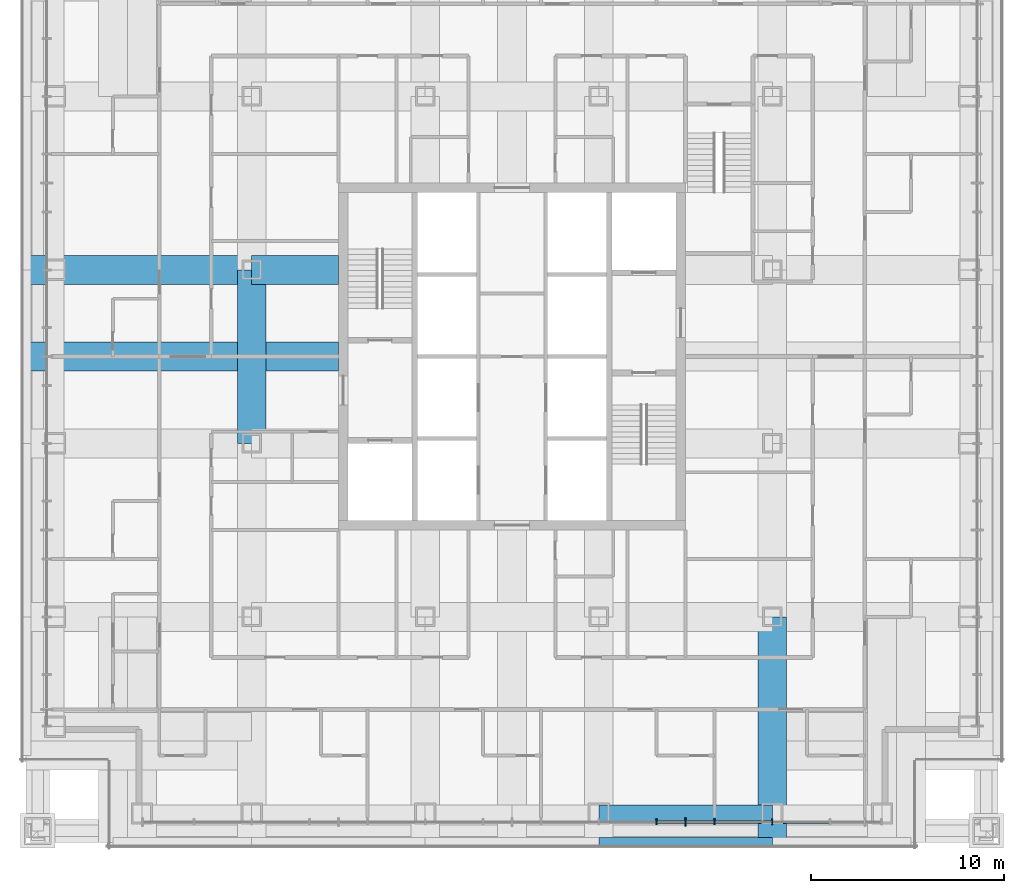
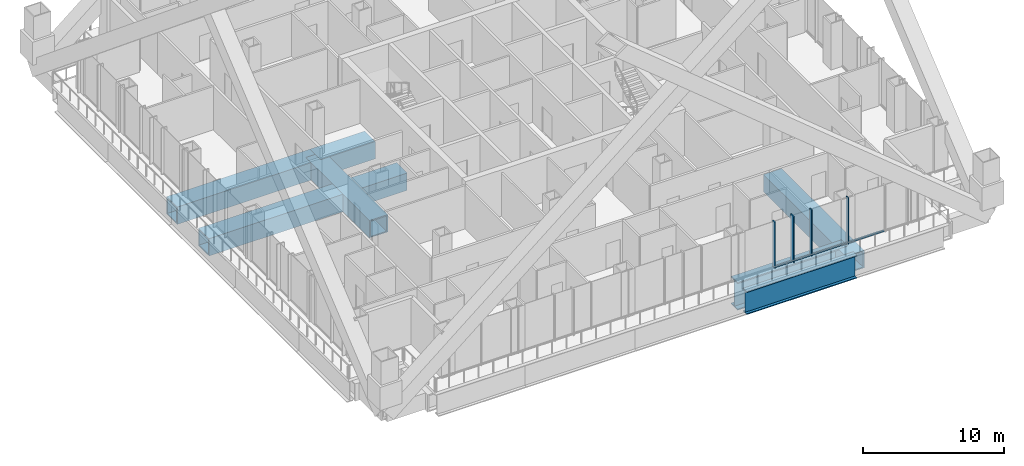
# One storey, part 6 of 20: 8 members, 7 beams, 1 element without a shape of its own.
"""IFC4 building model written with IfcOpenShell, lengths in metres."""

from ifc_helpers import new_model, si_unit, direction, frame, origin, origin_2d, place, context, subcontext, project, spatial, rectangle, hollow_rectangle, i_section, extrude, material, layer, layer_set, material_profile, profile_set, type_object, element, aggregate, save


model = new_model("IFC4")

# Units and contexts
model_context = context("Model", 3, precision=1e-05, world=origin(), true_north=direction((0.0, 1.0)))
body_context = subcontext(model_context, "Body", "Model", "MODEL_VIEW")
ifc_project = project(units=[si_unit("LENGTHUNIT", "METRE"), si_unit("AREAUNIT", "SQUARE_METRE"), si_unit("VOLUMEUNIT", "CUBIC_METRE"), si_unit("PLANEANGLEUNIT", "RADIAN"), si_unit("MASSUNIT", "GRAM", prefix="KILO")], contexts=[model_context])

# Site, building, storey
site_placement = place(None, origin())
site = spatial("IfcSite", under=ifc_project, at=site_placement, CompositionType="ELEMENT")
building_placement = place(site_placement, origin())
building = spatial("IfcBuilding", under=site, at=building_placement, Name="Malebo Sky Hospital", CompositionType="ELEMENT")
storey_placement = place(building_placement, frame((0.0, 0.0, 100.0)))
storey = spatial("IfcBuildingStorey", under=building, at=storey_placement, Name="L23", CompositionType="ELEMENT", Elevation=100.0)

# Curtain wall, members
ifc_material_1 = material(Name="Anodised aluminium, natural silver", Category="aluminium")
ifc_layer = layer(ifc_material_1, 0.25)
ifc_layer_set = layer_set([ifc_layer], Name="WARD CURTAIN WALL NORTH AND SOUTH")
curtain_wall_type = type_object("IfcCurtainWallType", Name="WARD CURTAIN WALL NORTH AND SOUTH", PredefinedType="NOTDEFINED", material=ifc_layer_set)
curtain_wall_placement = place(storey_placement, origin())
curtain_wall = element("IfcCurtainWall", 1, at=curtain_wall_placement, inside=storey, type_object=curtain_wall_type, Name="NS curtain wall S", PredefinedType="NOTDEFINED")
ifc_material_profile_1 = material_profile(ifc_material_1, rectangle(XDim=0.14990234375, YDim=0.10009765625, at=origin_2d()), Name="ALUMINIUM TRANSOM 150x100")
ifc_profile_set_1 = profile_set([ifc_material_profile_1], Name="Anodised aluminium, natural silver")
member_type_1 = type_object("IfcMemberType", Name="ALUMINIUM TRANSOM 150x100", PredefinedType="USERDEFINED", material=ifc_profile_set_1)
member_1_placement = place(storey_placement, frame((76.46240234375, 37.864990234375, 0.050048828125), z_axis=(-1.0, 0.0, 0.0), x_axis=(0.0, -1.0, 0.0)))
member_1 = element("IfcMember", 2, at=member_1_placement, type_object=member_type_1, Name="Transom 3", ObjectType="TRANSOM", PredefinedType="USERDEFINED", context=body_context, shape_type="SweptSolid", body=[
    extrude(rectangle(XDim=0.14990234375, YDim=0.10009765625, at=origin_2d()), origin(), (0.0, 0.0, 1.0), 2.9248046875),
])
member_2_placement = place(storey_placement, frame((73.46240234375, 37.864990234375, 0.050048828125), z_axis=(-1.0, 0.0, 0.0), x_axis=(0.0, -1.0, 0.0)))
member_2 = element("IfcMember", 3, at=member_2_placement, type_object=member_type_1, Name="Transom 4", ObjectType="TRANSOM", PredefinedType="USERDEFINED", context=body_context, shape_type="SweptSolid", body=[
    extrude(rectangle(XDim=0.14990234375, YDim=0.10009765625, at=origin_2d()), origin(), (0.0, 0.0, 1.0), 2.9248046875),
])
member_3_placement = place(storey_placement, frame((70.46240234375, 37.864990234375, 0.050048828125), z_axis=(-1.0, 0.0, 0.0), x_axis=(0.0, -1.0, 0.0)))
member_3 = element("IfcMember", 4, at=member_3_placement, type_object=member_type_1, Name="Transom 5", ObjectType="TRANSOM", PredefinedType="USERDEFINED", context=body_context, shape_type="SweptSolid", body=[
    extrude(rectangle(XDim=0.14990234375, YDim=0.10009765625, at=origin_2d()), origin(), (0.0, 0.0, 1.0), 1.4248046875),
])
member_4_placement = place(storey_placement, frame((68.96240234375, 37.864990234375, 0.050048828125), z_axis=(-1.0, 0.0, 0.0), x_axis=(0.0, -1.0, 0.0)))
member_4 = element("IfcMember", 5, at=member_4_placement, type_object=member_type_1, Name="Transom 6", ObjectType="TRANSOM", PredefinedType="USERDEFINED", context=body_context, shape_type="SweptSolid", body=[
    extrude(rectangle(XDim=0.14990234375, YDim=0.10009765625, at=origin_2d()), origin(), (0.0, 0.0, 1.0), 1.4248046875),
])
ifc_material_profile_2 = material_profile(ifc_material_1, rectangle(XDim=0.074951171875, YDim=0.300048828125, at=origin_2d()), Name="CW1 ALUMINIUM FIN MULLION 75x300")
ifc_profile_set_2 = profile_set([ifc_material_profile_2], Name="Anodised aluminium, natural silver")
member_type_2 = type_object("IfcMemberType", Name="CW1 ALUMINIUM FIN MULLION 75x300", PredefinedType="MULLION", material=ifc_profile_set_2)
member_5_placement = place(storey_placement, frame((73.5, 37.864990234375, 0.0), z_axis=(0.0, 0.0, 1.0), x_axis=(-1.0, 0.0, 0.0)))
member_5 = element("IfcMember", 6, at=member_5_placement, type_object=member_type_2, Name="Fin mullion 4", PredefinedType="MULLION", context=body_context, shape_type="SweptSolid", body=[
    extrude(rectangle(XDim=0.074951171875, YDim=0.300048828125, at=origin_2d()), origin(), (0.0, 0.0, 1.0), 4.0),
])
member_6_placement = place(storey_placement, frame((70.5, 37.864990234375, 0.0), z_axis=(0.0, 0.0, 1.0), x_axis=(-1.0, 0.0, 0.0)))
member_6 = element("IfcMember", 7, at=member_6_placement, type_object=member_type_2, Name="Fin mullion 5", PredefinedType="MULLION", context=body_context, shape_type="SweptSolid", body=[
    extrude(rectangle(XDim=0.074951171875, YDim=0.300048828125, at=origin_2d()), origin(), (0.0, 0.0, 1.0), 4.0),
])
member_7_placement = place(storey_placement, frame((67.5, 37.864990234375, 0.0), z_axis=(0.0, 0.0, 1.0), x_axis=(-1.0, 0.0, 0.0)))
member_7 = element("IfcMember", 8, at=member_7_placement, type_object=member_type_2, Name="Fin mullion 7", PredefinedType="MULLION", context=body_context, shape_type="SweptSolid", body=[
    extrude(rectangle(XDim=0.074951171875, YDim=0.300048828125, at=origin_2d()), origin(), (0.0, 0.0, 1.0), 4.0),
])
ifc_material_profile_3 = material_profile(ifc_material_1, rectangle(XDim=0.074951171875, YDim=0.449951171875, at=origin_2d()), Name="CW1 ALUMINIUM FIN MULLION 75x450")
ifc_profile_set_3 = profile_set([ifc_material_profile_3], Name="Anodised aluminium, natural silver")
member_type_3 = type_object("IfcMemberType", Name="CW1 ALUMINIUM FIN MULLION 75x450", PredefinedType="MULLION", material=ifc_profile_set_3)
member_8_placement = place(storey_placement, frame((69.0, 37.864990234375, 0.0), z_axis=(0.0, 0.0, 1.0), x_axis=(-1.0, 0.0, 0.0)))
member_8 = element("IfcMember", 9, at=member_8_placement, type_object=member_type_3, Name="Fin mullion 6", PredefinedType="MULLION", context=body_context, shape_type="SweptSolid", body=[
    extrude(rectangle(XDim=0.074951171875, YDim=0.449951171875, at=origin_2d()), origin(), (0.0, 0.0, 1.0), 4.0),
])
aggregate(curtain_wall, [member_5, member_6, member_8, member_7, member_1, member_2, member_3, member_4])

# Beams
ifc_material_2 = material(Name="Steel S460", Category="steel")
ifc_material_profile_4 = material_profile(ifc_material_2, hollow_rectangle(XDim=1.5, YDim=1.5, WallThickness=0.10009765625, at=origin_2d()), Name="BOX 1500x1500x100")
ifc_profile_set_4 = profile_set([ifc_material_profile_4], Name="Steel S460")
beam_type_1 = type_object("IfcBeamType", Name="TRANSFER GIRDER BOX 1500x1500x100", PredefinedType="BEAM", material=ifc_profile_set_4)
beam_1_placement = place(storey_placement, frame((46.5, 57.5, -1.0), z_axis=(0.0, 1.0, 0.0), x_axis=(-1.0, 0.0, 0.0)))
element("IfcBeam", 10, at=beam_1_placement, inside=storey, type_object=beam_type_1, Name="Beam 012 L23", PredefinedType="BEAM", context=body_context, shape_type="SweptSolid", body=[
    extrude(hollow_rectangle(XDim=1.5, YDim=1.5, WallThickness=0.10009765625, at=origin_2d()), origin(), (0.0, 0.0, 1.0), 9.0),
])
for number, where, z_axis, x_axis, name in (
    (11, (73.5, 36.800048828125, -1.0), (0.0, 1.0, 0.0), (-1.0, 0.0, 0.0), "Beam 025 L23"),
    (12, (34.800048828125, 66.5, -1.0), (1.0, 0.0, 0.0), (0.0, 1.0, 0.0), "Beam 061 L23"),
):
    element("IfcBeam", number, at=place(storey_placement, frame(where, z_axis=z_axis, x_axis=x_axis)), inside=storey, type_object=beam_type_1, Name=name, PredefinedType="BEAM", context=body_context, shape_type="SweptSolid", body=[
        extrude(hollow_rectangle(XDim=1.5, YDim=1.5, WallThickness=0.10009765625, at=origin_2d()), origin(), (0.0, 0.0, 1.0), 11.699951171875),
    ])
beam_2_placement = place(storey_placement, frame((46.5, 66.5, -1.0), z_axis=(1.0, 0.0, 0.0), x_axis=(0.0, 1.0, 0.0)))
element("IfcBeam", 13, at=beam_2_placement, inside=storey, type_object=beam_type_1, Name="Beam 062 L23", PredefinedType="BEAM", context=body_context, shape_type="SweptSolid", body=[
    extrude(hollow_rectangle(XDim=1.5, YDim=1.5, WallThickness=0.10009765625, at=origin_2d()), origin(), (0.0, 0.0, 1.0), 4.5),
])
beam_3_placement = place(storey_placement, frame((34.800048828125, 62.0, -1.0), z_axis=(1.0, 0.0, 0.0), x_axis=(0.0, 1.0, 0.0)))
element("IfcBeam", 14, at=beam_3_placement, inside=storey, type_object=beam_type_1, Name="Beam 059 L23", PredefinedType="BEAM", context=body_context, shape_type="SweptSolid", body=[
    extrude(hollow_rectangle(XDim=1.5, YDim=1.5, WallThickness=0.10009765625, at=origin_2d()), origin(), (0.0, 0.0, 1.0), 16.199951171875),
])
ifc_material_3 = material(Name="Steel S355", Category="steel")
ifc_material_profile_5 = material_profile(ifc_material_3, i_section(OverallWidth=0.5, OverallDepth=2.0, WebThickness=0.0400390625, FlangeThickness=0.080078125, at=origin_2d()), Name="PG 2000x500x40x80")
ifc_profile_set_5 = profile_set([ifc_material_profile_5], Name="Steel S355")
beam_type_2 = type_object("IfcBeamType", Name="TRANSFER GIRDER PG 2000x500x40x80", PredefinedType="BEAM", material=ifc_profile_set_5)
beam_4_placement = place(storey_placement, frame((64.5, 36.800048828125, -1.25), z_axis=(1.0, 0.0, 0.0), x_axis=(0.0, 1.0, 0.0)))
element("IfcBeam", 15, at=beam_4_placement, inside=storey, type_object=beam_type_2, Name="Beam 043 L23", PredefinedType="BEAM", context=body_context, shape_type="SweptSolid", body=[
    extrude(i_section(OverallWidth=0.5, OverallDepth=2.0, WebThickness=0.0400390625, FlangeThickness=0.080078125, at=origin_2d()), origin(), (0.0, 0.0, 1.0), 9.0),
])
ifc_material_profile_6 = material_profile(ifc_material_3, i_section(OverallWidth=0.89990234375, OverallDepth=2.39990234375, WebThickness=0.050048828125, FlangeThickness=0.10009765625, at=origin_2d()), Name="PG 2400x900x50x100")
ifc_profile_set_6 = profile_set([ifc_material_profile_6], Name="Steel S355")
beam_type_3 = type_object("IfcBeamType", Name="TRANSFER GIRDER PG 2400x900x50x100", PredefinedType="BEAM", material=ifc_profile_set_6)
beam_5_placement = place(storey_placement, frame((64.5, 38.300048828125, -1.449951171875), z_axis=(1.0, 0.0, 0.0), x_axis=(0.0, 1.0, 0.0)))
element("IfcBeam", 16, at=beam_5_placement, inside=storey, type_object=beam_type_3, Name="Beam 045e L23", PredefinedType="BEAM", context=body_context, shape_type="SweptSolid", body=[
    extrude(i_section(OverallWidth=0.89990234375, OverallDepth=2.39990234375, WebThickness=0.050048828125, FlangeThickness=0.10009765625, at=origin_2d()), origin(), (0.0, 0.0, 1.0), 9.0),
])

save(model, "model.ifc")
